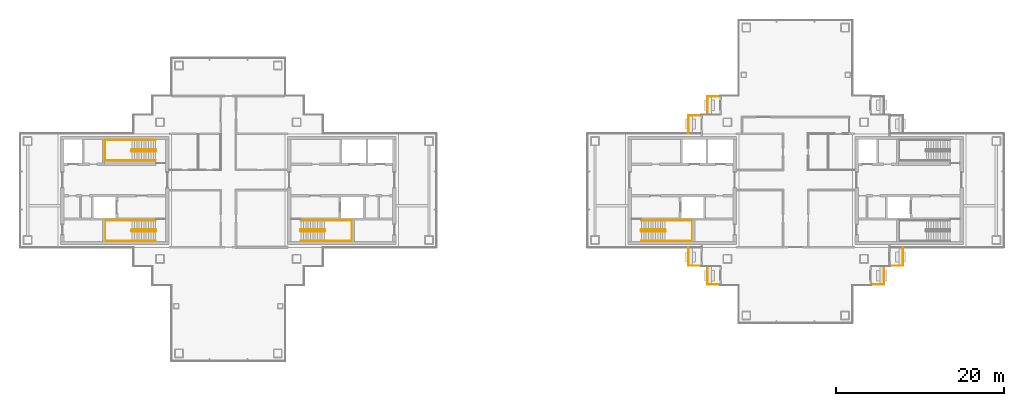
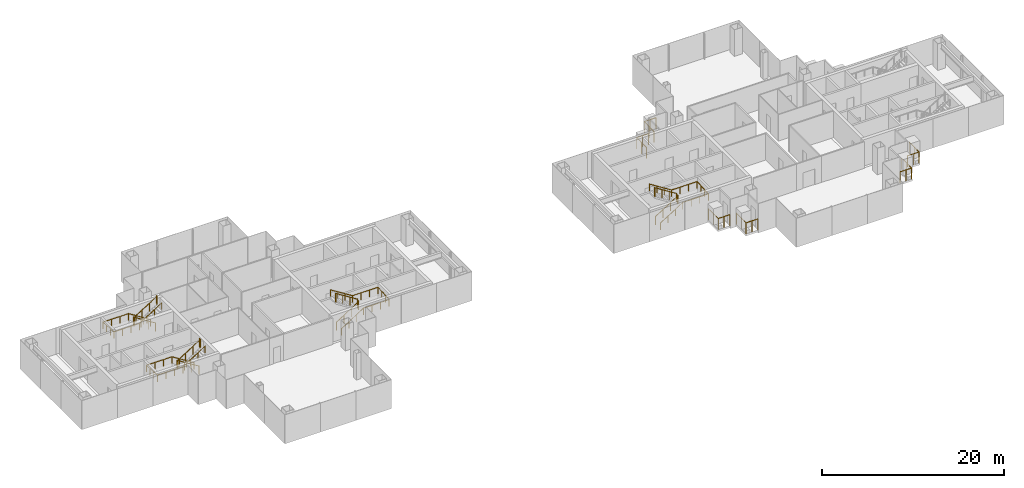
# One storey, part 14 of 16: 14 railings.
"""IFC4 building model written with IfcOpenShell, lengths in metres."""

from ifc_helpers import new_model, si_unit, direction, frame, origin, origin_2d, place, context, subcontext, project, spatial, circle, extrude, material, type_object, element, save


model = new_model("IFC4")

# Units and contexts
model_context = context("Model", 3, precision=1e-05, world=origin(), true_north=direction((0.0, 1.0)))
body_context = subcontext(model_context, "Body", "Model", "MODEL_VIEW")
ifc_project = project(units=[si_unit("LENGTHUNIT", "METRE"), si_unit("AREAUNIT", "SQUARE_METRE"), si_unit("VOLUMEUNIT", "CUBIC_METRE"), si_unit("PLANEANGLEUNIT", "RADIAN"), si_unit("MASSUNIT", "GRAM", prefix="KILO")], contexts=[model_context])

# Site, building, storey
site_placement = place(None, origin())
site = spatial("IfcSite", under=ifc_project, at=site_placement, CompositionType="ELEMENT")
building_placement = place(site_placement, origin())
building = spatial("IfcBuilding", under=site, at=building_placement, Name="Shamsa Quay Exchange Towers", CompositionType="ELEMENT")
storey_placement = place(building_placement, frame((0.0, 0.0, 210.0)))
storey = spatial("IfcBuildingStorey", under=building, at=storey_placement, Name="L50", CompositionType="ELEMENT", Elevation=210.0)

# Railings
ifc_material_1 = material(Name="Steel S355, black powder-coated", Category="steel")
railing_type_1 = type_object("IfcRailingType", Name="BALCONY GUARD 1500", PredefinedType="GUARDRAIL", material=ifc_material_1)
for number, where, name in (
    (1, (24.72900390625, 11.199951171875, 0.0), "Balcony guard T2-PKEN L50"),
    (2, (22.47900390625, 8.949951171875, 0.0), "Balcony guard T2-PKEN L50"),
):
    element("IfcRailing", number, at=place(storey_placement, frame(where)), inside=storey, type_object=railing_type_1, Name=name, PredefinedType="GUARDRAIL", context=body_context, shape_type="SweptSolid", body=[
        extrude(circle(Radius=0.02392578125, at=origin_2d()), frame((0.0, 0.0, 1.47607421875), z_axis=(-1.0, 0.0, 0.0), x_axis=(0.0, -1.0, 0.0)), (0.0, 0.0, 1.0), 1.47900390625),
        extrude(circle(Radius=0.02392578125, at=origin_2d()), frame((-1.47900390625, 0.0, 1.47607421875), z_axis=(0.0, -1.0, 0.0), x_axis=(1.0, 0.0, 0.0)), (0.0, 0.0, 1.0), 2.161865234375),
        extrude(circle(Radius=0.02099609375, at=origin_2d()), origin(), (0.0, 0.0, 1.0), 1.451904296875),
        extrude(circle(Radius=0.02099609375, at=origin_2d()), frame((-0.739501953125, 0.0, 0.0)), (0.0, 0.0, 1.0), 1.451904296875),
        extrude(circle(Radius=0.02099609375, at=origin_2d()), frame((-1.47900390625, 0.0, 0.0)), (0.0, 0.0, 1.0), 1.451904296875),
        extrude(circle(Radius=0.02099609375, at=origin_2d()), frame((-1.47900390625, -1.0810546875, 0.0)), (0.0, 0.0, 1.0), 1.451904296875),
        extrude(circle(Radius=0.02099609375, at=origin_2d()), frame((-1.47900390625, -2.161865234375, 0.0)), (0.0, 0.0, 1.0), 1.451904296875),
    ])
for number, where, name in (
    (3, (21.0, -6.7880859375, 0.0), "Balcony guard T2-PKWN L50"),
    (4, (23.25, -9.0380859375, 0.0), "Balcony guard T2-PKWN L50"),
):
    element("IfcRailing", number, at=place(storey_placement, frame(where)), inside=storey, type_object=railing_type_1, Name=name, PredefinedType="GUARDRAIL", context=body_context, shape_type="SweptSolid", body=[
        extrude(circle(Radius=0.02392578125, at=origin_2d()), frame((0.0, 0.0, 1.47607421875), z_axis=(0.0, -1.0, 0.0), x_axis=(1.0, 0.0, 0.0)), (0.0, 0.0, 1.0), 2.161865234375),
        extrude(circle(Radius=0.02392578125, at=origin_2d()), frame((0.0, -2.161865234375, 1.47607421875), z_axis=(1.0, 0.0, 0.0), x_axis=(0.0, 1.0, 0.0)), (0.0, 0.0, 1.0), 1.47900390625),
        extrude(circle(Radius=0.02099609375, at=origin_2d()), origin(), (0.0, 0.0, 1.0), 1.451904296875),
        extrude(circle(Radius=0.02099609375, at=origin_2d()), frame((0.0, -1.0810546875, 0.0)), (0.0, 0.0, 1.0), 1.451904296875),
        extrude(circle(Radius=0.02099609375, at=origin_2d()), frame((0.0, -2.161865234375, 0.0)), (0.0, 0.0, 1.0), 1.451904296875),
        extrude(circle(Radius=0.02099609375, at=origin_2d()), frame((0.739501953125, -2.161865234375, 0.0)), (0.0, 0.0, 1.0), 1.451904296875),
        extrude(circle(Radius=0.02099609375, at=origin_2d()), frame((1.47900390625, -2.161865234375, 0.0)), (0.0, 0.0, 1.0), 1.451904296875),
    ])
for number, where, name in (
    (5, (42.77099609375, -11.199951171875, 0.0), "Balcony guard T2-PKWS L50"),
    (6, (45.02099609375, -8.949951171875, 0.0), "Balcony guard T2-PKWS L50"),
):
    element("IfcRailing", number, at=place(storey_placement, frame(where)), inside=storey, type_object=railing_type_1, Name=name, PredefinedType="GUARDRAIL", context=body_context, shape_type="SweptSolid", body=[
        extrude(circle(Radius=0.02392578125, at=origin_2d()), frame((0.0, 0.0, 1.47607421875), z_axis=(1.0, 0.0, 0.0), x_axis=(0.0, 1.0, 0.0)), (0.0, 0.0, 1.0), 1.47900390625),
        extrude(circle(Radius=0.02392578125, at=origin_2d()), frame((1.47900390625, 0.0, 1.47607421875), z_axis=(0.0, 1.0, 0.0), x_axis=(-1.0, 0.0, 0.0)), (0.0, 0.0, 1.0), 2.161865234375),
        extrude(circle(Radius=0.02099609375, at=origin_2d()), origin(), (0.0, 0.0, 1.0), 1.451904296875),
        extrude(circle(Radius=0.02099609375, at=origin_2d()), frame((0.739501953125, 0.0, 0.0)), (0.0, 0.0, 1.0), 1.451904296875),
        extrude(circle(Radius=0.02099609375, at=origin_2d()), frame((1.47900390625, 0.0, 0.0)), (0.0, 0.0, 1.0), 1.451904296875),
        extrude(circle(Radius=0.02099609375, at=origin_2d()), frame((1.47900390625, 1.0810546875, 0.0)), (0.0, 0.0, 1.0), 1.451904296875),
        extrude(circle(Radius=0.02099609375, at=origin_2d()), frame((1.47900390625, 2.161865234375, 0.0)), (0.0, 0.0, 1.0), 1.451904296875),
    ])
ifc_material_2 = material(Name="Stainless steel", Category="steel")
railing_type_2 = type_object("IfcRailingType", Name="STAIR GUARD 1100", PredefinedType="GUARDRAIL", material=ifc_material_2)
railing_1_placement = place(storey_placement, frame((-25.10009765625, -4.89990234375, 0.17724609375)))
element("IfcRailing", 7, at=railing_1_placement, inside=storey, type_object=railing_type_2, Name="L50 ST1 stair guard 1", PredefinedType="GUARDRAIL", context=body_context, shape_type="SweptSolid", body=[
    extrude(circle(Radius=0.02392578125, at=origin_2d()), frame((0.0, 0.0, 1.076171875), z_axis=(0.844908973607, 0.0, 0.534910110503), x_axis=(0.0, 1.0, 0.0)), (0.0, 0.0, 1.0), 3.31396484375),
    extrude(circle(Radius=0.02392578125, at=origin_2d()), frame((2.800048828125, 0.0, 2.8486328125), z_axis=(0.708833529934, 0.705375805398, 0.0), x_axis=(-0.705375805398, 0.708833529934, 0.0)), (0.0, 0.0, 1.0), 0.070556640625),
    extrude(circle(Radius=0.02392578125, at=origin_2d()), frame((2.85009765625, 0.0498046875, 2.8486328125), z_axis=(0.0, 1.0, 0.0), x_axis=(-1.0, 0.0, 0.0)), (0.0, 0.0, 1.0), 0.150146484375),
    extrude(circle(Radius=0.02392578125, at=origin_2d()), frame((2.85009765625, 0.199951171875, 2.8486328125), z_axis=(-0.262233686654, 0.262233686654, 0.928691007369), x_axis=(-0.707106781187, -0.707106781187, 0.0)), (0.0, 0.0, 1.0), 0.19091796875),
    extrude(circle(Radius=0.02392578125, at=origin_2d()), frame((2.800048828125, 0.25, 3.02587890625), z_axis=(-0.844908973607, 0.0, 0.534910110503), x_axis=(0.0, -1.0, 0.0)), (0.0, 0.0, 1.0), 3.31396484375),
    extrude(circle(Radius=0.02392578125, at=origin_2d()), frame((0.0, 0.25, 4.798828125), z_axis=(-0.24142163986, -0.970420317083, 0.0), x_axis=(0.970420317083, -0.24142163986, 0.0)), (0.0, 0.0, 1.0), 0.206298828125),
    extrude(circle(Radius=0.02392578125, at=origin_2d()), frame((-0.0498046875, 0.0498046875, 4.798828125), z_axis=(0.0, 1.0, 0.0), x_axis=(-1.0, 0.0, 0.0)), (0.0, 0.0, 1.0), 0.150146484375),
    extrude(circle(Radius=0.02099609375, at=origin_2d()), origin(), (0.0, 0.0, 1.0), 1.052001953125),
    extrude(circle(Radius=0.02099609375, at=origin_2d()), frame((0.933349609375, 0.0, 0.5908203125)), (0.0, 0.0, 1.0), 1.052001953125),
    extrude(circle(Radius=0.02099609375, at=origin_2d()), frame((1.86669921875, 0.0, 1.181884765625)), (0.0, 0.0, 1.0), 1.052001953125),
    extrude(circle(Radius=0.02099609375, at=origin_2d()), frame((2.800048828125, 0.0, 1.772705078125)), (0.0, 0.0, 1.0), 1.052001953125),
    extrude(circle(Radius=0.02099609375, at=origin_2d()), frame((2.85009765625, 0.0498046875, 1.772705078125)), (0.0, 0.0, 1.0), 1.052001953125),
    extrude(circle(Radius=0.02099609375, at=origin_2d()), frame((2.85009765625, 0.199951171875, 1.772705078125)), (0.0, 0.0, 1.0), 1.052001953125),
    extrude(circle(Radius=0.02099609375, at=origin_2d()), frame((2.800048828125, 0.25, 1.949951171875)), (0.0, 0.0, 1.0), 1.052001953125),
    extrude(circle(Radius=0.02099609375, at=origin_2d()), frame((1.86669921875, 0.25, 2.540771484375)), (0.0, 0.0, 1.0), 1.052001953125),
    extrude(circle(Radius=0.02099609375, at=origin_2d()), frame((0.933349609375, 0.25, 3.1318359375)), (0.0, 0.0, 1.0), 1.052001953125),
    extrude(circle(Radius=0.02099609375, at=origin_2d()), frame((0.0, 0.25, 3.72265625)), (0.0, 0.0, 1.0), 1.052001953125),
    extrude(circle(Radius=0.02099609375, at=origin_2d()), frame((-0.0498046875, 0.0498046875, 3.72265625)), (0.0, 0.0, 1.0), 1.052001953125),
    extrude(circle(Radius=0.02099609375, at=origin_2d()), frame((-0.0498046875, 0.199951171875, 3.72265625)), (0.0, 0.0, 1.0), 1.052001953125),
])
railing_2_placement = place(storey_placement, frame((-42.39990234375, -4.64990234375, 0.17724609375)))
element("IfcRailing", 8, at=railing_2_placement, inside=storey, type_object=railing_type_2, Name="L50 ST2 stair guard 1", PredefinedType="GUARDRAIL", context=body_context, shape_type="SweptSolid", body=[
    extrude(circle(Radius=0.02392578125, at=origin_2d()), frame((0.0, 0.0, 1.076171875), z_axis=(-0.844908973607, 0.0, 0.534910110503), x_axis=(0.0, -1.0, 0.0)), (0.0, 0.0, 1.0), 3.31396484375),
    extrude(circle(Radius=0.02392578125, at=origin_2d()), frame((-2.800048828125, 0.0, 2.8486328125), z_axis=(-0.707106781187, -0.707106781187, 0.0), x_axis=(0.707106781187, -0.707106781187, 0.0)), (0.0, 0.0, 1.0), 0.07080078125),
    extrude(circle(Radius=0.02392578125, at=origin_2d()), frame((-2.85009765625, -0.050048828125, 2.8486328125), z_axis=(0.0, -1.0, 0.0), x_axis=(1.0, 0.0, 0.0)), (0.0, 0.0, 1.0), 0.150146484375),
    extrude(circle(Radius=0.02392578125, at=origin_2d()), frame((-2.85009765625, -0.2001953125, 2.8486328125), z_axis=(0.262321481514, -0.261041864531, 0.929001929653), x_axis=(0.705375805398, 0.708833529934, 0.0)), (0.0, 0.0, 1.0), 0.190673828125),
    extrude(circle(Radius=0.02392578125, at=origin_2d()), frame((-2.800048828125, -0.25, 3.02587890625), z_axis=(0.844908973607, 0.0, 0.534910110503), x_axis=(0.0, 1.0, 0.0)), (0.0, 0.0, 1.0), 3.31396484375),
    extrude(circle(Radius=0.02392578125, at=origin_2d()), frame((0.0, -0.25, 4.798828125), z_axis=(0.241699205484, 0.970351222016, 0.0), x_axis=(-0.970351222016, 0.241699205484, 0.0)), (0.0, 0.0, 1.0), 0.2060546875),
    extrude(circle(Radius=0.02392578125, at=origin_2d()), frame((0.0498046875, -0.050048828125, 4.798828125), z_axis=(0.0, -1.0, 0.0), x_axis=(1.0, 0.0, 0.0)), (0.0, 0.0, 1.0), 0.150146484375),
    extrude(circle(Radius=0.02099609375, at=origin_2d()), origin(), (0.0, 0.0, 1.0), 1.052001953125),
    extrude(circle(Radius=0.02099609375, at=origin_2d()), frame((-0.933349609375, 0.0, 0.5908203125)), (0.0, 0.0, 1.0), 1.052001953125),
    extrude(circle(Radius=0.02099609375, at=origin_2d()), frame((-1.86669921875, 0.0, 1.181884765625)), (0.0, 0.0, 1.0), 1.052001953125),
    extrude(circle(Radius=0.02099609375, at=origin_2d()), frame((-2.800048828125, 0.0, 1.772705078125)), (0.0, 0.0, 1.0), 1.052001953125),
    extrude(circle(Radius=0.02099609375, at=origin_2d()), frame((-2.85009765625, -0.050048828125, 1.772705078125)), (0.0, 0.0, 1.0), 1.052001953125),
    extrude(circle(Radius=0.02099609375, at=origin_2d()), frame((-2.85009765625, -0.2001953125, 1.772705078125)), (0.0, 0.0, 1.0), 1.052001953125),
    extrude(circle(Radius=0.02099609375, at=origin_2d()), frame((-2.800048828125, -0.25, 1.949951171875)), (0.0, 0.0, 1.0), 1.052001953125),
    extrude(circle(Radius=0.02099609375, at=origin_2d()), frame((-1.86669921875, -0.25, 2.540771484375)), (0.0, 0.0, 1.0), 1.052001953125),
    extrude(circle(Radius=0.02099609375, at=origin_2d()), frame((-0.933349609375, -0.25, 3.1318359375)), (0.0, 0.0, 1.0), 1.052001953125),
    extrude(circle(Radius=0.02099609375, at=origin_2d()), frame((0.0, -0.25, 3.72265625)), (0.0, 0.0, 1.0), 1.052001953125),
    extrude(circle(Radius=0.02099609375, at=origin_2d()), frame((0.0498046875, -0.050048828125, 3.72265625)), (0.0, 0.0, 1.0), 1.052001953125),
    extrude(circle(Radius=0.02099609375, at=origin_2d()), frame((0.0498046875, -0.2001953125, 3.72265625)), (0.0, 0.0, 1.0), 1.052001953125),
])
railing_3_placement = place(storey_placement, frame((-42.39990234375, 4.89990234375, 0.17724609375)))
element("IfcRailing", 9, at=railing_3_placement, inside=storey, type_object=railing_type_2, Name="L50 ST3 stair guard 1", PredefinedType="GUARDRAIL", context=body_context, shape_type="SweptSolid", body=[
    extrude(circle(Radius=0.02392578125, at=origin_2d()), frame((0.0, 0.0, 1.076171875), z_axis=(-0.844908973607, 0.0, 0.534910110503), x_axis=(0.0, -1.0, 0.0)), (0.0, 0.0, 1.0), 3.31396484375),
    extrude(circle(Radius=0.02392578125, at=origin_2d()), frame((-2.800048828125, 0.0, 2.8486328125), z_axis=(-0.708833529934, -0.705375805398, 0.0), x_axis=(0.705375805398, -0.708833529934, 0.0)), (0.0, 0.0, 1.0), 0.070556640625),
    extrude(circle(Radius=0.02392578125, at=origin_2d()), frame((-2.85009765625, -0.0498046875, 2.8486328125), z_axis=(0.0, -1.0, 0.0), x_axis=(1.0, 0.0, 0.0)), (0.0, 0.0, 1.0), 0.150146484375),
    extrude(circle(Radius=0.02392578125, at=origin_2d()), frame((-2.85009765625, -0.199951171875, 2.8486328125), z_axis=(0.262233686654, -0.262233686654, 0.928691007369), x_axis=(0.707106781187, 0.707106781187, 0.0)), (0.0, 0.0, 1.0), 0.19091796875),
    extrude(circle(Radius=0.02392578125, at=origin_2d()), frame((-2.800048828125, -0.25, 3.02587890625), z_axis=(0.844908973607, 0.0, 0.534910110503), x_axis=(0.0, 1.0, 0.0)), (0.0, 0.0, 1.0), 3.31396484375),
    extrude(circle(Radius=0.02392578125, at=origin_2d()), frame((0.0, -0.25, 4.798828125), z_axis=(0.24142163986, 0.970420317083, 0.0), x_axis=(-0.970420317083, 0.24142163986, 0.0)), (0.0, 0.0, 1.0), 0.206298828125),
    extrude(circle(Radius=0.02392578125, at=origin_2d()), frame((0.0498046875, -0.0498046875, 4.798828125), z_axis=(0.0, -1.0, 0.0), x_axis=(1.0, 0.0, 0.0)), (0.0, 0.0, 1.0), 0.150146484375),
    extrude(circle(Radius=0.02099609375, at=origin_2d()), origin(), (0.0, 0.0, 1.0), 1.052001953125),
    extrude(circle(Radius=0.02099609375, at=origin_2d()), frame((-0.933349609375, 0.0, 0.5908203125)), (0.0, 0.0, 1.0), 1.052001953125),
    extrude(circle(Radius=0.02099609375, at=origin_2d()), frame((-1.86669921875, 0.0, 1.181884765625)), (0.0, 0.0, 1.0), 1.052001953125),
    extrude(circle(Radius=0.02099609375, at=origin_2d()), frame((-2.800048828125, 0.0, 1.772705078125)), (0.0, 0.0, 1.0), 1.052001953125),
    extrude(circle(Radius=0.02099609375, at=origin_2d()), frame((-2.85009765625, -0.0498046875, 1.772705078125)), (0.0, 0.0, 1.0), 1.052001953125),
    extrude(circle(Radius=0.02099609375, at=origin_2d()), frame((-2.85009765625, -0.199951171875, 1.772705078125)), (0.0, 0.0, 1.0), 1.052001953125),
    extrude(circle(Radius=0.02099609375, at=origin_2d()), frame((-2.800048828125, -0.25, 1.949951171875)), (0.0, 0.0, 1.0), 1.052001953125),
    extrude(circle(Radius=0.02099609375, at=origin_2d()), frame((-1.86669921875, -0.25, 2.540771484375)), (0.0, 0.0, 1.0), 1.052001953125),
    extrude(circle(Radius=0.02099609375, at=origin_2d()), frame((-0.933349609375, -0.25, 3.1318359375)), (0.0, 0.0, 1.0), 1.052001953125),
    extrude(circle(Radius=0.02099609375, at=origin_2d()), frame((0.0, -0.25, 3.72265625)), (0.0, 0.0, 1.0), 1.052001953125),
    extrude(circle(Radius=0.02099609375, at=origin_2d()), frame((0.0498046875, -0.0498046875, 3.72265625)), (0.0, 0.0, 1.0), 1.052001953125),
    extrude(circle(Radius=0.02099609375, at=origin_2d()), frame((0.0498046875, -0.199951171875, 3.72265625)), (0.0, 0.0, 1.0), 1.052001953125),
])
railing_4_placement = place(storey_placement, frame((15.39990234375, -4.89990234375, 0.17724609375)))
element("IfcRailing", 10, at=railing_4_placement, inside=storey, type_object=railing_type_2, Name="L50 ST4 stair guard 1", PredefinedType="GUARDRAIL", context=body_context, shape_type="SweptSolid", body=[
    extrude(circle(Radius=0.02392578125, at=origin_2d()), frame((0.0, 0.0, 1.076171875), z_axis=(0.844908973607, 0.0, 0.534910110503), x_axis=(0.0, 1.0, 0.0)), (0.0, 0.0, 1.0), 3.31396484375),
    extrude(circle(Radius=0.02392578125, at=origin_2d()), frame((2.800048828125, 0.0, 2.8486328125), z_axis=(0.708833529934, 0.705375805398, 0.0), x_axis=(-0.705375805398, 0.708833529934, 0.0)), (0.0, 0.0, 1.0), 0.070556640625),
    extrude(circle(Radius=0.02392578125, at=origin_2d()), frame((2.85009765625, 0.0498046875, 2.8486328125), z_axis=(0.0, 1.0, 0.0), x_axis=(-1.0, 0.0, 0.0)), (0.0, 0.0, 1.0), 0.150146484375),
    extrude(circle(Radius=0.02392578125, at=origin_2d()), frame((2.85009765625, 0.199951171875, 2.8486328125), z_axis=(-0.262233686654, 0.262233686654, 0.928691007369), x_axis=(-0.707106781187, -0.707106781187, 0.0)), (0.0, 0.0, 1.0), 0.19091796875),
    extrude(circle(Radius=0.02392578125, at=origin_2d()), frame((2.800048828125, 0.25, 3.02587890625), z_axis=(-0.844908973607, 0.0, 0.534910110503), x_axis=(0.0, -1.0, 0.0)), (0.0, 0.0, 1.0), 3.31396484375),
    extrude(circle(Radius=0.02392578125, at=origin_2d()), frame((0.0, 0.25, 4.798828125), z_axis=(-0.24142163986, -0.970420317083, 0.0), x_axis=(0.970420317083, -0.24142163986, 0.0)), (0.0, 0.0, 1.0), 0.206298828125),
    extrude(circle(Radius=0.02392578125, at=origin_2d()), frame((-0.0498046875, 0.0498046875, 4.798828125), z_axis=(0.0, 1.0, 0.0), x_axis=(-1.0, 0.0, 0.0)), (0.0, 0.0, 1.0), 0.150146484375),
    extrude(circle(Radius=0.02099609375, at=origin_2d()), origin(), (0.0, 0.0, 1.0), 1.052001953125),
    extrude(circle(Radius=0.02099609375, at=origin_2d()), frame((0.933349609375, 0.0, 0.5908203125)), (0.0, 0.0, 1.0), 1.052001953125),
    extrude(circle(Radius=0.02099609375, at=origin_2d()), frame((1.86669921875, 0.0, 1.181884765625)), (0.0, 0.0, 1.0), 1.052001953125),
    extrude(circle(Radius=0.02099609375, at=origin_2d()), frame((2.800048828125, 0.0, 1.772705078125)), (0.0, 0.0, 1.0), 1.052001953125),
    extrude(circle(Radius=0.02099609375, at=origin_2d()), frame((2.85009765625, 0.0498046875, 1.772705078125)), (0.0, 0.0, 1.0), 1.052001953125),
    extrude(circle(Radius=0.02099609375, at=origin_2d()), frame((2.85009765625, 0.199951171875, 1.772705078125)), (0.0, 0.0, 1.0), 1.052001953125),
    extrude(circle(Radius=0.02099609375, at=origin_2d()), frame((2.800048828125, 0.25, 1.949951171875)), (0.0, 0.0, 1.0), 1.052001953125),
    extrude(circle(Radius=0.02099609375, at=origin_2d()), frame((1.86669921875, 0.25, 2.540771484375)), (0.0, 0.0, 1.0), 1.052001953125),
    extrude(circle(Radius=0.02099609375, at=origin_2d()), frame((0.933349609375, 0.25, 3.1318359375)), (0.0, 0.0, 1.0), 1.052001953125),
    extrude(circle(Radius=0.02099609375, at=origin_2d()), frame((0.0, 0.25, 3.72265625)), (0.0, 0.0, 1.0), 1.052001953125),
    extrude(circle(Radius=0.02099609375, at=origin_2d()), frame((-0.0498046875, 0.0498046875, 3.72265625)), (0.0, 0.0, 1.0), 1.052001953125),
    extrude(circle(Radius=0.02099609375, at=origin_2d()), frame((-0.0498046875, 0.199951171875, 3.72265625)), (0.0, 0.0, 1.0), 1.052001953125),
])
railing_type_3 = type_object("IfcRailingType", Name="STAIR HANDRAIL 900", PredefinedType="HANDRAIL", material=ifc_material_2)
railing_5_placement = place(storey_placement, frame((-25.10009765625, -6.0, 0.17724609375)))
element("IfcRailing", 11, at=railing_5_placement, inside=storey, type_object=railing_type_3, Name="L50 ST1 stair handrail 1", PredefinedType="HANDRAIL", context=body_context, shape_type="SweptSolid", body=[
    extrude(circle(Radius=0.02392578125, at=origin_2d()), frame((0.0, 0.0, 0.8759765625), z_axis=(0.844908973607, 0.0, 0.534910110503), x_axis=(0.0, 1.0, 0.0)), (0.0, 0.0, 1.0), 3.31396484375),
    extrude(circle(Radius=0.02392578125, at=origin_2d()), frame((2.800048828125, 0.0, 2.6484375), z_axis=(1.0, 0.0, 0.0), x_axis=(0.0, 1.0, 0.0)), (0.0, 0.0, 1.0), 3.25),
    extrude(circle(Radius=0.02392578125, at=origin_2d()), frame((6.050048828125, 0.0, 2.6484375), z_axis=(0.0, 0.997393199914, 0.07215819264), x_axis=(-1.0, 0.0, 0.0)), (0.0, 0.0, 1.0), 2.456298828125),
    extrude(circle(Radius=0.02392578125, at=origin_2d()), frame((6.050048828125, 2.449951171875, 2.82568359375), z_axis=(-1.0, 0.0, 0.0), x_axis=(0.0, -1.0, 0.0)), (0.0, 0.0, 1.0), 3.25),
    extrude(circle(Radius=0.02392578125, at=origin_2d()), frame((2.800048828125, 2.449951171875, 2.82568359375), z_axis=(-0.844908973607, 0.0, 0.534910110503), x_axis=(0.0, -1.0, 0.0)), (0.0, 0.0, 1.0), 3.31396484375),
    extrude(circle(Radius=0.02099609375, at=origin_2d()), origin(), (0.0, 0.0, 1.0), 0.851806640625),
    extrude(circle(Radius=0.02099609375, at=origin_2d()), frame((0.933349609375, 0.0, 0.5908203125)), (0.0, 0.0, 1.0), 0.851806640625),
    extrude(circle(Radius=0.02099609375, at=origin_2d()), frame((1.86669921875, 0.0, 1.181884765625)), (0.0, 0.0, 1.0), 0.851806640625),
    extrude(circle(Radius=0.02099609375, at=origin_2d()), frame((2.800048828125, 0.0, 1.772705078125)), (0.0, 0.0, 1.0), 0.851806640625),
    extrude(circle(Radius=0.02099609375, at=origin_2d()), frame((3.88330078125, 0.0, 1.772705078125)), (0.0, 0.0, 1.0), 0.851806640625),
    extrude(circle(Radius=0.02099609375, at=origin_2d()), frame((4.966796875, 0.0, 1.772705078125)), (0.0, 0.0, 1.0), 0.851806640625),
    extrude(circle(Radius=0.02099609375, at=origin_2d()), frame((6.050048828125, 0.0, 1.772705078125)), (0.0, 0.0, 1.0), 0.851806640625),
    extrude(circle(Radius=0.02099609375, at=origin_2d()), frame((6.050048828125, 0.816650390625, 1.831787109375)), (0.0, 0.0, 1.0), 0.851806640625),
    extrude(circle(Radius=0.02099609375, at=origin_2d()), frame((6.050048828125, 1.63330078125, 1.890869140625)), (0.0, 0.0, 1.0), 0.851806640625),
    extrude(circle(Radius=0.02099609375, at=origin_2d()), frame((6.050048828125, 2.449951171875, 1.949951171875)), (0.0, 0.0, 1.0), 0.851806640625),
    extrude(circle(Radius=0.02099609375, at=origin_2d()), frame((4.966796875, 2.449951171875, 1.949951171875)), (0.0, 0.0, 1.0), 0.851806640625),
    extrude(circle(Radius=0.02099609375, at=origin_2d()), frame((3.88330078125, 2.449951171875, 1.949951171875)), (0.0, 0.0, 1.0), 0.851806640625),
    extrude(circle(Radius=0.02099609375, at=origin_2d()), frame((2.800048828125, 2.449951171875, 1.949951171875)), (0.0, 0.0, 1.0), 0.851806640625),
    extrude(circle(Radius=0.02099609375, at=origin_2d()), frame((1.86669921875, 2.449951171875, 2.540771484375)), (0.0, 0.0, 1.0), 0.851806640625),
    extrude(circle(Radius=0.02099609375, at=origin_2d()), frame((0.933349609375, 2.449951171875, 3.1318359375)), (0.0, 0.0, 1.0), 0.851806640625),
    extrude(circle(Radius=0.02099609375, at=origin_2d()), frame((0.0, 2.449951171875, 3.72265625)), (0.0, 0.0, 1.0), 0.851806640625),
])
railing_6_placement = place(storey_placement, frame((-42.39990234375, -3.550048828125, 0.17724609375)))
element("IfcRailing", 12, at=railing_6_placement, inside=storey, type_object=railing_type_3, Name="L50 ST2 stair handrail 1", PredefinedType="HANDRAIL", context=body_context, shape_type="SweptSolid", body=[
    extrude(circle(Radius=0.02392578125, at=origin_2d()), frame((0.0, 0.0, 0.8759765625), z_axis=(-0.844908973607, 0.0, 0.534910110503), x_axis=(0.0, -1.0, 0.0)), (0.0, 0.0, 1.0), 3.31396484375),
    extrude(circle(Radius=0.02392578125, at=origin_2d()), frame((-2.800048828125, 0.0, 2.6484375), z_axis=(-1.0, 0.0, 0.0), x_axis=(0.0, -1.0, 0.0)), (0.0, 0.0, 1.0), 3.25),
    extrude(circle(Radius=0.02392578125, at=origin_2d()), frame((-6.050048828125, 0.0, 2.6484375), z_axis=(0.0, -0.997393199914, 0.07215819264), x_axis=(1.0, 0.0, 0.0)), (0.0, 0.0, 1.0), 2.456298828125),
    extrude(circle(Radius=0.02392578125, at=origin_2d()), frame((-6.050048828125, -2.449951171875, 2.82568359375), z_axis=(1.0, 0.0, 0.0), x_axis=(0.0, 1.0, 0.0)), (0.0, 0.0, 1.0), 3.25),
    extrude(circle(Radius=0.02392578125, at=origin_2d()), frame((-2.800048828125, -2.449951171875, 2.82568359375), z_axis=(0.844908973607, 0.0, 0.534910110503), x_axis=(0.0, 1.0, 0.0)), (0.0, 0.0, 1.0), 3.31396484375),
    extrude(circle(Radius=0.02099609375, at=origin_2d()), origin(), (0.0, 0.0, 1.0), 0.851806640625),
    extrude(circle(Radius=0.02099609375, at=origin_2d()), frame((-0.933349609375, 0.0, 0.5908203125)), (0.0, 0.0, 1.0), 0.851806640625),
    extrude(circle(Radius=0.02099609375, at=origin_2d()), frame((-1.86669921875, 0.0, 1.181884765625)), (0.0, 0.0, 1.0), 0.851806640625),
    extrude(circle(Radius=0.02099609375, at=origin_2d()), frame((-2.800048828125, 0.0, 1.772705078125)), (0.0, 0.0, 1.0), 0.851806640625),
    extrude(circle(Radius=0.02099609375, at=origin_2d()), frame((-3.88330078125, 0.0, 1.772705078125)), (0.0, 0.0, 1.0), 0.851806640625),
    extrude(circle(Radius=0.02099609375, at=origin_2d()), frame((-4.966796875, 0.0, 1.772705078125)), (0.0, 0.0, 1.0), 0.851806640625),
    extrude(circle(Radius=0.02099609375, at=origin_2d()), frame((-6.050048828125, 0.0, 1.772705078125)), (0.0, 0.0, 1.0), 0.851806640625),
    extrude(circle(Radius=0.02099609375, at=origin_2d()), frame((-6.050048828125, -0.816650390625, 1.831787109375)), (0.0, 0.0, 1.0), 0.851806640625),
    extrude(circle(Radius=0.02099609375, at=origin_2d()), frame((-6.050048828125, -1.63330078125, 1.890869140625)), (0.0, 0.0, 1.0), 0.851806640625),
    extrude(circle(Radius=0.02099609375, at=origin_2d()), frame((-6.050048828125, -2.449951171875, 1.949951171875)), (0.0, 0.0, 1.0), 0.851806640625),
    extrude(circle(Radius=0.02099609375, at=origin_2d()), frame((-4.966796875, -2.449951171875, 1.949951171875)), (0.0, 0.0, 1.0), 0.851806640625),
    extrude(circle(Radius=0.02099609375, at=origin_2d()), frame((-3.88330078125, -2.449951171875, 1.949951171875)), (0.0, 0.0, 1.0), 0.851806640625),
    extrude(circle(Radius=0.02099609375, at=origin_2d()), frame((-2.800048828125, -2.449951171875, 1.949951171875)), (0.0, 0.0, 1.0), 0.851806640625),
    extrude(circle(Radius=0.02099609375, at=origin_2d()), frame((-1.86669921875, -2.449951171875, 2.540771484375)), (0.0, 0.0, 1.0), 0.851806640625),
    extrude(circle(Radius=0.02099609375, at=origin_2d()), frame((-0.933349609375, -2.449951171875, 3.1318359375)), (0.0, 0.0, 1.0), 0.851806640625),
    extrude(circle(Radius=0.02099609375, at=origin_2d()), frame((0.0, -2.449951171875, 3.72265625)), (0.0, 0.0, 1.0), 0.851806640625),
])
railing_7_placement = place(storey_placement, frame((-42.39990234375, 6.0, 0.17724609375)))
element("IfcRailing", 13, at=railing_7_placement, inside=storey, type_object=railing_type_3, Name="L50 ST3 stair handrail 1", PredefinedType="HANDRAIL", context=body_context, shape_type="SweptSolid", body=[
    extrude(circle(Radius=0.02392578125, at=origin_2d()), frame((0.0, 0.0, 0.8759765625), z_axis=(-0.844908973607, 0.0, 0.534910110503), x_axis=(0.0, -1.0, 0.0)), (0.0, 0.0, 1.0), 3.31396484375),
    extrude(circle(Radius=0.02392578125, at=origin_2d()), frame((-2.800048828125, 0.0, 2.6484375), z_axis=(-1.0, 0.0, 0.0), x_axis=(0.0, -1.0, 0.0)), (0.0, 0.0, 1.0), 3.25),
    extrude(circle(Radius=0.02392578125, at=origin_2d()), frame((-6.050048828125, 0.0, 2.6484375), z_axis=(0.0, -0.997393199914, 0.07215819264), x_axis=(1.0, 0.0, 0.0)), (0.0, 0.0, 1.0), 2.456298828125),
    extrude(circle(Radius=0.02392578125, at=origin_2d()), frame((-6.050048828125, -2.449951171875, 2.82568359375), z_axis=(1.0, 0.0, 0.0), x_axis=(0.0, 1.0, 0.0)), (0.0, 0.0, 1.0), 3.25),
    extrude(circle(Radius=0.02392578125, at=origin_2d()), frame((-2.800048828125, -2.449951171875, 2.82568359375), z_axis=(0.844908973607, 0.0, 0.534910110503), x_axis=(0.0, 1.0, 0.0)), (0.0, 0.0, 1.0), 3.31396484375),
    extrude(circle(Radius=0.02099609375, at=origin_2d()), origin(), (0.0, 0.0, 1.0), 0.851806640625),
    extrude(circle(Radius=0.02099609375, at=origin_2d()), frame((-0.933349609375, 0.0, 0.5908203125)), (0.0, 0.0, 1.0), 0.851806640625),
    extrude(circle(Radius=0.02099609375, at=origin_2d()), frame((-1.86669921875, 0.0, 1.181884765625)), (0.0, 0.0, 1.0), 0.851806640625),
    extrude(circle(Radius=0.02099609375, at=origin_2d()), frame((-2.800048828125, 0.0, 1.772705078125)), (0.0, 0.0, 1.0), 0.851806640625),
    extrude(circle(Radius=0.02099609375, at=origin_2d()), frame((-3.88330078125, 0.0, 1.772705078125)), (0.0, 0.0, 1.0), 0.851806640625),
    extrude(circle(Radius=0.02099609375, at=origin_2d()), frame((-4.966796875, 0.0, 1.772705078125)), (0.0, 0.0, 1.0), 0.851806640625),
    extrude(circle(Radius=0.02099609375, at=origin_2d()), frame((-6.050048828125, 0.0, 1.772705078125)), (0.0, 0.0, 1.0), 0.851806640625),
    extrude(circle(Radius=0.02099609375, at=origin_2d()), frame((-6.050048828125, -0.816650390625, 1.831787109375)), (0.0, 0.0, 1.0), 0.851806640625),
    extrude(circle(Radius=0.02099609375, at=origin_2d()), frame((-6.050048828125, -1.63330078125, 1.890869140625)), (0.0, 0.0, 1.0), 0.851806640625),
    extrude(circle(Radius=0.02099609375, at=origin_2d()), frame((-6.050048828125, -2.449951171875, 1.949951171875)), (0.0, 0.0, 1.0), 0.851806640625),
    extrude(circle(Radius=0.02099609375, at=origin_2d()), frame((-4.966796875, -2.449951171875, 1.949951171875)), (0.0, 0.0, 1.0), 0.851806640625),
    extrude(circle(Radius=0.02099609375, at=origin_2d()), frame((-3.88330078125, -2.449951171875, 1.949951171875)), (0.0, 0.0, 1.0), 0.851806640625),
    extrude(circle(Radius=0.02099609375, at=origin_2d()), frame((-2.800048828125, -2.449951171875, 1.949951171875)), (0.0, 0.0, 1.0), 0.851806640625),
    extrude(circle(Radius=0.02099609375, at=origin_2d()), frame((-1.86669921875, -2.449951171875, 2.540771484375)), (0.0, 0.0, 1.0), 0.851806640625),
    extrude(circle(Radius=0.02099609375, at=origin_2d()), frame((-0.933349609375, -2.449951171875, 3.1318359375)), (0.0, 0.0, 1.0), 0.851806640625),
    extrude(circle(Radius=0.02099609375, at=origin_2d()), frame((0.0, -2.449951171875, 3.72265625)), (0.0, 0.0, 1.0), 0.851806640625),
])
railing_8_placement = place(storey_placement, frame((15.39990234375, -6.0, 0.17724609375)))
element("IfcRailing", 14, at=railing_8_placement, inside=storey, type_object=railing_type_3, Name="L50 ST4 stair handrail 1", PredefinedType="HANDRAIL", context=body_context, shape_type="SweptSolid", body=[
    extrude(circle(Radius=0.02392578125, at=origin_2d()), frame((0.0, 0.0, 0.8759765625), z_axis=(0.844908973607, 0.0, 0.534910110503), x_axis=(0.0, 1.0, 0.0)), (0.0, 0.0, 1.0), 3.31396484375),
    extrude(circle(Radius=0.02392578125, at=origin_2d()), frame((2.800048828125, 0.0, 2.6484375), z_axis=(1.0, 0.0, 0.0), x_axis=(0.0, 1.0, 0.0)), (0.0, 0.0, 1.0), 3.25),
    extrude(circle(Radius=0.02392578125, at=origin_2d()), frame((6.050048828125, 0.0, 2.6484375), z_axis=(0.0, 0.997393199914, 0.07215819264), x_axis=(-1.0, 0.0, 0.0)), (0.0, 0.0, 1.0), 2.456298828125),
    extrude(circle(Radius=0.02392578125, at=origin_2d()), frame((6.050048828125, 2.449951171875, 2.82568359375), z_axis=(-1.0, 0.0, 0.0), x_axis=(0.0, -1.0, 0.0)), (0.0, 0.0, 1.0), 3.25),
    extrude(circle(Radius=0.02392578125, at=origin_2d()), frame((2.800048828125, 2.449951171875, 2.82568359375), z_axis=(-0.844908973607, 0.0, 0.534910110503), x_axis=(0.0, -1.0, 0.0)), (0.0, 0.0, 1.0), 3.31396484375),
    extrude(circle(Radius=0.02099609375, at=origin_2d()), origin(), (0.0, 0.0, 1.0), 0.851806640625),
    extrude(circle(Radius=0.02099609375, at=origin_2d()), frame((0.933349609375, 0.0, 0.5908203125)), (0.0, 0.0, 1.0), 0.851806640625),
    extrude(circle(Radius=0.02099609375, at=origin_2d()), frame((1.86669921875, 0.0, 1.181884765625)), (0.0, 0.0, 1.0), 0.851806640625),
    extrude(circle(Radius=0.02099609375, at=origin_2d()), frame((2.800048828125, 0.0, 1.772705078125)), (0.0, 0.0, 1.0), 0.851806640625),
    extrude(circle(Radius=0.02099609375, at=origin_2d()), frame((3.88330078125, 0.0, 1.772705078125)), (0.0, 0.0, 1.0), 0.851806640625),
    extrude(circle(Radius=0.02099609375, at=origin_2d()), frame((4.966796875, 0.0, 1.772705078125)), (0.0, 0.0, 1.0), 0.851806640625),
    extrude(circle(Radius=0.02099609375, at=origin_2d()), frame((6.050048828125, 0.0, 1.772705078125)), (0.0, 0.0, 1.0), 0.851806640625),
    extrude(circle(Radius=0.02099609375, at=origin_2d()), frame((6.050048828125, 0.816650390625, 1.831787109375)), (0.0, 0.0, 1.0), 0.851806640625),
    extrude(circle(Radius=0.02099609375, at=origin_2d()), frame((6.050048828125, 1.63330078125, 1.890869140625)), (0.0, 0.0, 1.0), 0.851806640625),
    extrude(circle(Radius=0.02099609375, at=origin_2d()), frame((6.050048828125, 2.449951171875, 1.949951171875)), (0.0, 0.0, 1.0), 0.851806640625),
    extrude(circle(Radius=0.02099609375, at=origin_2d()), frame((4.966796875, 2.449951171875, 1.949951171875)), (0.0, 0.0, 1.0), 0.851806640625),
    extrude(circle(Radius=0.02099609375, at=origin_2d()), frame((3.88330078125, 2.449951171875, 1.949951171875)), (0.0, 0.0, 1.0), 0.851806640625),
    extrude(circle(Radius=0.02099609375, at=origin_2d()), frame((2.800048828125, 2.449951171875, 1.949951171875)), (0.0, 0.0, 1.0), 0.851806640625),
    extrude(circle(Radius=0.02099609375, at=origin_2d()), frame((1.86669921875, 2.449951171875, 2.540771484375)), (0.0, 0.0, 1.0), 0.851806640625),
    extrude(circle(Radius=0.02099609375, at=origin_2d()), frame((0.933349609375, 2.449951171875, 3.1318359375)), (0.0, 0.0, 1.0), 0.851806640625),
    extrude(circle(Radius=0.02099609375, at=origin_2d()), frame((0.0, 2.449951171875, 3.72265625)), (0.0, 0.0, 1.0), 0.851806640625),
])

save(model, "model.ifc")
